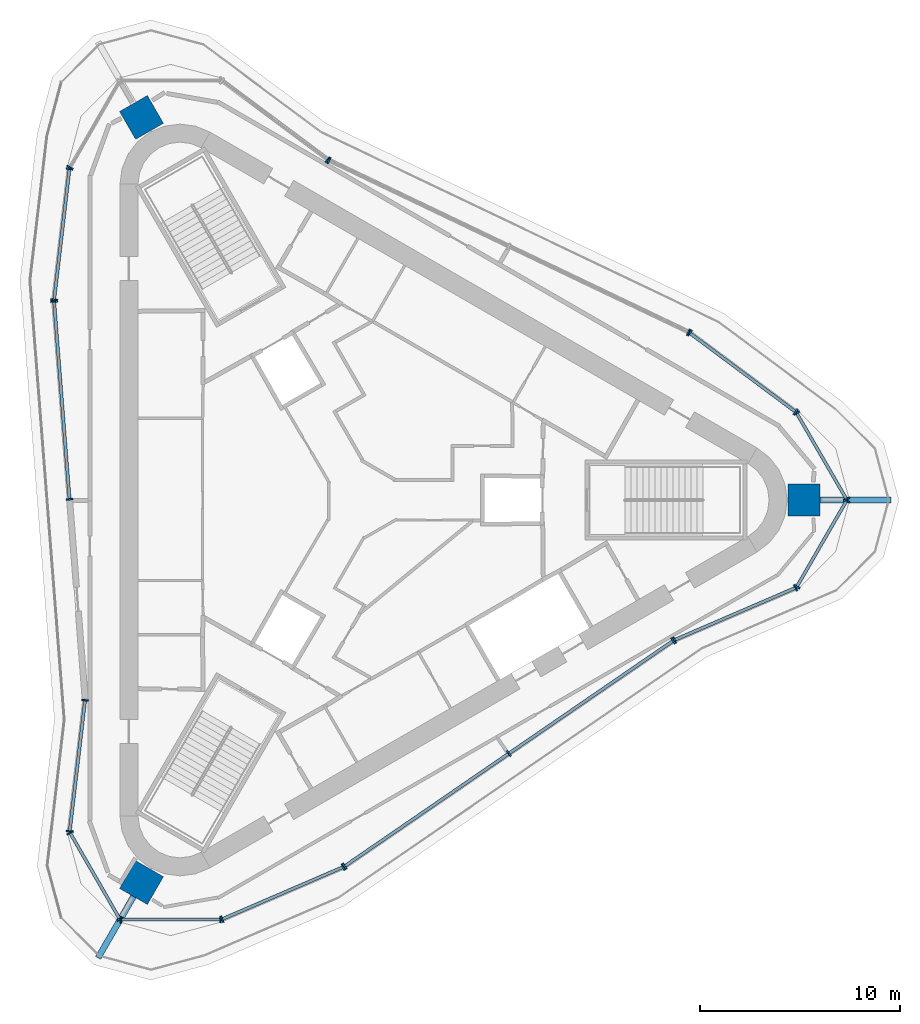
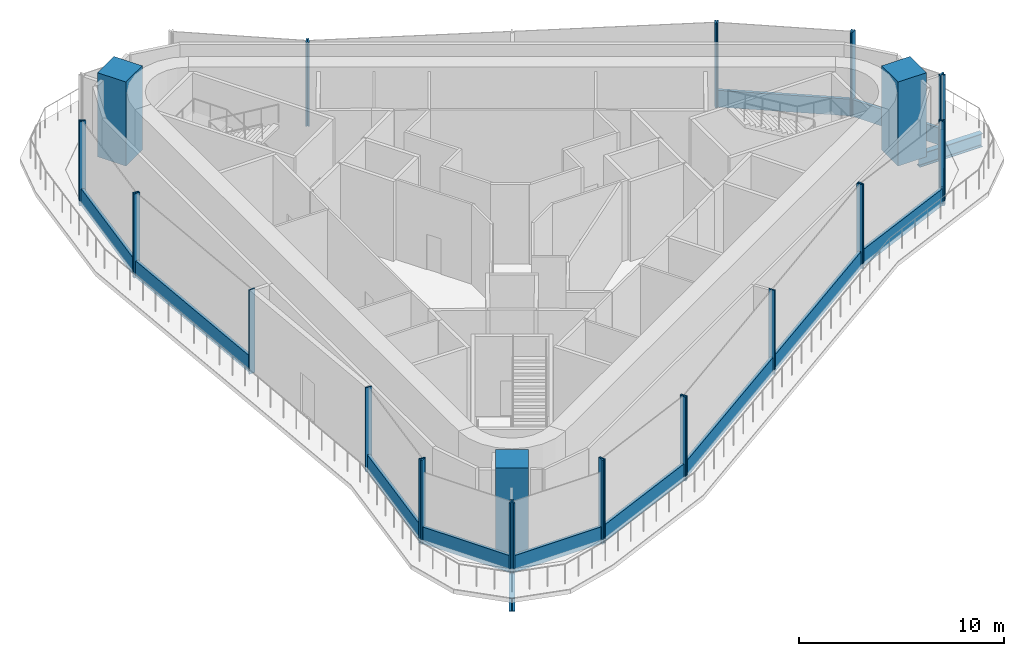
# One storey, part 1 of 9: 39 members, 3 columns, 2 beams, 14 elements without a shape of their own.
"""IFC4 building model written with IfcOpenShell, lengths in metres."""

from ifc_helpers import new_model, si_unit, direction, frame, origin, origin_2d, place, context, subcontext, project, spatial, rectangle, i_section, extrude, material, material_profile, profile_set, type_object, element, aggregate, save


model = new_model("IFC4")

# Units and contexts
model_context = context("Model", 3, precision=1e-05, world=origin(), true_north=direction((0.0, 1.0)))
body_context = subcontext(model_context, "Body", "Model", "MODEL_VIEW")
ifc_project = project(units=[si_unit("LENGTHUNIT", "METRE"), si_unit("AREAUNIT", "SQUARE_METRE"), si_unit("VOLUMEUNIT", "CUBIC_METRE"), si_unit("PLANEANGLEUNIT", "RADIAN"), si_unit("MASSUNIT", "GRAM", prefix="KILO")], contexts=[model_context])

# Site, building, storey
site_placement = place(None, origin())
site = spatial("IfcSite", under=ifc_project, at=site_placement, CompositionType="ELEMENT")
building_placement = place(site_placement, origin())
building = spatial("IfcBuilding", under=site, at=building_placement, Name="Tanit Gate Tower", CompositionType="ELEMENT")
storey_placement = place(building_placement, frame((0.0, 0.0, 430.300048828125)))
storey = spatial("IfcBuildingStorey", under=building, at=storey_placement, Name="L97", CompositionType="ELEMENT", Elevation=430.300048828125)

# Columns
ifc_material_1 = material(Name="Concrete C40/50", Category="concrete")
ifc_material_profile_1 = material_profile(ifc_material_1, rectangle(XDim=1.60009765625, YDim=1.60009765625, at=origin_2d()), Name="RC 1600x1600")
ifc_profile_set_1 = profile_set([ifc_material_profile_1], Name="Concrete C40/50")
column_type = type_object("IfcColumnType", Name="MEGA COLUMN 1600x1600 C40/50", PredefinedType="COLUMN", material=ifc_profile_set_1)
for number, where, z_axis, x_axis, name in (
    (1, (22.051025390625, 0.0, 0.0), (0.0, 0.0, 1.0), (1.0, 0.0, 0.0), "MEGA COLUMN"),
    (2, (-11.025390625, 19.0966796875, 0.0), (0.0, 0.0, 1.0), (-0.5, 0.866025403784, 0.0), "MEGA COLUMN"),
    (3, (-11.025390625, -19.0966796875, 0.0), (0.0, 0.0, 1.0), (-0.5, -0.866025403784, 0.0), "MEGA COLUMN"),
):
    element("IfcColumn", number, at=place(storey_placement, frame(where, z_axis=z_axis, x_axis=x_axis)), inside=storey, type_object=column_type, Name=name, PredefinedType="COLUMN", context=body_context, shape_type="SweptSolid", body=[
        extrude(rectangle(XDim=1.60009765625, YDim=1.60009765625, at=origin_2d()), origin(), (0.0, 0.0, 1.0), 5.0),
    ])

# Beams
ifc_material_2 = material(Name="Steel S355", Category="steel")
ifc_material_profile_2 = material_profile(ifc_material_2, i_section(OverallWidth=0.300048828125, OverallDepth=0.7900390625, WebThickness=0.014892578125, FlangeThickness=0.028076171875, FilletRadius=0.030029296875, at=origin_2d()), Name="HEA 800")
ifc_profile_set_2 = profile_set([ifc_material_profile_2], Name="Steel S355")
beam_type = type_object("IfcBeamType", Name="CROWN TERRACE GIRDER HEA 800 S355", PredefinedType="BEAM", material=ifc_profile_set_2)
beam_1_placement = place(storey_placement, frame((-11.424560546875, -19.787841796875, -0.64501953125), z_axis=(-0.499947514557, -0.866055704149, 0.0), x_axis=(0.866055704149, -0.499947514557, 0.0)))
element("IfcBeam", 4, at=beam_1_placement, inside=storey, type_object=beam_type, Name="CROWN TERRACE GIRDER", PredefinedType="BEAM", context=body_context, shape_type="SweptSolid", body=[
    extrude(i_section(OverallWidth=0.300048828125, OverallDepth=0.7900390625, WebThickness=0.014892578125, FlangeThickness=0.028076171875, FilletRadius=0.030029296875, at=origin_2d()), origin(), (0.0, 0.0, 1.0), 3.537109375),
])
beam_2_placement = place(storey_placement, frame((22.84912109375, 0.0, -0.64501953125), z_axis=(1.0, 0.0, 0.0), x_axis=(0.0, 1.0, 0.0)))
element("IfcBeam", 5, at=beam_2_placement, inside=storey, type_object=beam_type, Name="CROWN TERRACE GIRDER", PredefinedType="BEAM", context=body_context, shape_type="SweptSolid", body=[
    extrude(i_section(OverallWidth=0.300048828125, OverallDepth=0.7900390625, WebThickness=0.014892578125, FlangeThickness=0.028076171875, FilletRadius=0.030029296875, at=origin_2d()), origin(), (0.0, 0.0, 1.0), 3.536865234375),
])

# Curtain wall, members
ifc_material_3 = material(Name="Aluminium bronze anodised and glass", Category="aluminium")
curtain_wall_type = type_object("IfcCurtainWallType", Name="Curtain wall plant screen", PredefinedType="NOTDEFINED", material=ifc_material_3)
curtain_wall_1_placement = place(storey_placement, origin())
curtain_wall_1 = element("IfcCurtainWall", 6, at=curtain_wall_1_placement, inside=storey, type_object=curtain_wall_type, Name="Curtain wall L97 NE1", PredefinedType="NOTDEFINED")
ifc_material_4 = material(Name="Aluminium bronze anodised", Category="aluminium")
ifc_material_profile_3 = material_profile(ifc_material_4, rectangle(XDim=0.340087890625, YDim=0.080078125, at=origin_2d()), Name="80x340 bronze mullion")
ifc_profile_set_3 = profile_set([ifc_material_profile_3], Name="Aluminium bronze anodised")
member_type_1 = type_object("IfcMemberType", Name="Mullion 80x340 plant screen", PredefinedType="MULLION", material=ifc_profile_set_3)
member_1_placement = place(storey_placement, frame((21.621826171875, 4.39892578125, -0.25), z_axis=(0.0, 0.0, 1.0), x_axis=(-0.59734052401, -0.801987717098, 0.0)))
member_1 = element("IfcMember", 7, at=member_1_placement, type_object=member_type_1, Name="Mullion L97 NE1.1", PredefinedType="MULLION", context=body_context, shape_type="SweptSolid", body=[
    extrude(rectangle(XDim=0.340087890625, YDim=0.080078125, at=origin_2d()), origin(), (0.0, 0.0, 1.0), 5.0),
])
member_2_placement = place(storey_placement, frame((16.3447265625, 8.329345703125, -0.25), z_axis=(0.0, 0.0, 1.0), x_axis=(-0.59734052401, -0.801987717098, 0.0)))
member_2 = element("IfcMember", 8, at=member_2_placement, type_object=member_type_1, Name="Mullion L97 NE1.2", PredefinedType="MULLION", context=body_context, shape_type="SweptSolid", body=[
    extrude(rectangle(XDim=0.340087890625, YDim=0.080078125, at=origin_2d()), origin(), (0.0, 0.0, 1.0), 5.0),
])

curtain_wall_2_placement = place(storey_placement, origin())
curtain_wall_2 = element("IfcCurtainWall", 9, at=curtain_wall_2_placement, inside=storey, type_object=curtain_wall_type, Name="Curtain wall L97 NE2", PredefinedType="NOTDEFINED")
member_3_placement = place(storey_placement, frame((16.276611328125, 8.37060546875, -0.25), z_axis=(0.0, 0.0, 1.0), x_axis=(-0.431072811819, -0.902317145415, 0.0)))
member_3 = element("IfcMember", 10, at=member_3_placement, type_object=member_type_1, Name="Mullion L97 NE2.1", PredefinedType="MULLION", context=body_context, shape_type="SweptSolid", body=[
    extrude(rectangle(XDim=0.340087890625, YDim=0.080078125, at=origin_2d()), origin(), (0.0, 0.0, 1.0), 5.0),
])
member_4_placement = place(storey_placement, frame((-1.667236328125, 16.94287109375, -0.25), z_axis=(0.0, 0.0, 1.0), x_axis=(-0.431072811819, -0.902317145415, 0.0)))
member_4 = element("IfcMember", 11, at=member_4_placement, type_object=member_type_1, Name="Mullion L97 NE2.3", PredefinedType="MULLION", context=body_context, shape_type="SweptSolid", body=[
    extrude(rectangle(XDim=0.340087890625, YDim=0.080078125, at=origin_2d()), origin(), (0.0, 0.0, 1.0), 5.0),
])
aggregate(curtain_wall_2, [member_3, member_4])

# Curtain wall, member
curtain_wall_3_placement = place(storey_placement, origin())
curtain_wall_3 = element("IfcCurtainWall", 12, at=curtain_wall_3_placement, inside=storey, type_object=curtain_wall_type, Name="Curtain wall L97 NE3", PredefinedType="NOTDEFINED")
member_5_placement = place(storey_placement, frame((-1.7353515625, 16.984130859375, -0.25), z_axis=(0.0, 0.0, 1.0), x_axis=(-0.59734052401, -0.801987717098, 0.0)))
member_5 = element("IfcMember", 13, at=member_5_placement, type_object=member_type_1, Name="Mullion L97 NE3.1", PredefinedType="MULLION", context=body_context, shape_type="SweptSolid", body=[
    extrude(rectangle(XDim=0.340087890625, YDim=0.080078125, at=origin_2d()), origin(), (0.0, 0.0, 1.0), 5.0),
])
aggregate(curtain_wall_3, [member_5])

curtain_wall_4_placement = place(storey_placement, origin())
curtain_wall_4 = element("IfcCurtainWall", 14, at=curtain_wall_4_placement, inside=storey, type_object=curtain_wall_type, Name="Curtain wall L97 NW.arc2", PredefinedType="NOTDEFINED")
member_6_placement = place(storey_placement, frame((-14.595947265625, 16.60009765625, -0.25), z_axis=(0.0, 0.0, 1.0), x_axis=(0.866624446929, -0.498960988441, 0.0)))
member_6 = element("IfcMember", 15, at=member_6_placement, type_object=member_type_1, Name="Mullion L97 NW.arc2.2", PredefinedType="MULLION", context=body_context, shape_type="SweptSolid", body=[
    extrude(rectangle(XDim=0.340087890625, YDim=0.080078125, at=origin_2d()), origin(), (0.0, 0.0, 1.0), 5.0),
])
aggregate(curtain_wall_4, [member_6])

# Curtain wall, members
curtain_wall_5_placement = place(storey_placement, origin())
curtain_wall_5 = element("IfcCurtainWall", 16, at=curtain_wall_5_placement, inside=storey, type_object=curtain_wall_type, Name="Curtain wall L97 W1", PredefinedType="NOTDEFINED")
member_7_placement = place(storey_placement, frame((-14.620361328125, 16.525634765625, -0.25), z_axis=(0.0, 0.0, 1.0), x_axis=(0.993211998535, -0.116318209953, 0.0)))
member_7 = element("IfcMember", 17, at=member_7_placement, type_object=member_type_1, Name="Mullion L97 W1.1", PredefinedType="MULLION", context=body_context, shape_type="SweptSolid", body=[
    extrude(rectangle(XDim=0.340087890625, YDim=0.080078125, at=origin_2d()), origin(), (0.0, 0.0, 1.0), 5.0),
])
member_8_placement = place(storey_placement, frame((-15.3857421875, 9.990234375, -0.25), z_axis=(0.0, 0.0, 1.0), x_axis=(0.993211998535, -0.116318209953, 0.0)))
member_8 = element("IfcMember", 18, at=member_8_placement, type_object=member_type_1, Name="Mullion L97 W1.2", PredefinedType="MULLION", context=body_context, shape_type="SweptSolid", body=[
    extrude(rectangle(XDim=0.340087890625, YDim=0.080078125, at=origin_2d()), origin(), (0.0, 0.0, 1.0), 5.0),
])

curtain_wall_6_placement = place(storey_placement, origin())
curtain_wall_6 = element("IfcCurtainWall", 19, at=curtain_wall_6_placement, inside=storey, type_object=curtain_wall_type, Name="Curtain wall L97 W2a", PredefinedType="NOTDEFINED")
member_9_placement = place(storey_placement, frame((-15.387451171875, 9.91064453125, -0.25), z_axis=(0.0, 0.0, 1.0), x_axis=(0.996965976109, 0.077838566791, 0.0)))
member_9 = element("IfcMember", 20, at=member_9_placement, type_object=member_type_1, Name="Mullion L97 W2a.1", PredefinedType="MULLION", context=body_context, shape_type="SweptSolid", body=[
    extrude(rectangle(XDim=0.340087890625, YDim=0.080078125, at=origin_2d()), origin(), (0.0, 0.0, 1.0), 5.0),
])
member_10_placement = place(storey_placement, frame((-14.616455078125, 0.03759765625, -0.25), z_axis=(0.0, 0.0, 1.0), x_axis=(0.996965976109, 0.077838566791, 0.0)))
member_10 = element("IfcMember", 21, at=member_10_placement, type_object=member_type_1, Name="Mullion L97 W2a.2", PredefinedType="MULLION", context=body_context, shape_type="SweptSolid", body=[
    extrude(rectangle(XDim=0.340087890625, YDim=0.080078125, at=origin_2d()), origin(), (0.0, 0.0, 1.0), 5.0),
])

curtain_wall_7_placement = place(storey_placement, origin())
curtain_wall_7 = element("IfcCurtainWall", 22, at=curtain_wall_7_placement, inside=storey, type_object=curtain_wall_type, Name="Curtain wall L97 W3", PredefinedType="NOTDEFINED")
member_11_placement = place(storey_placement, frame((-13.841064453125, -9.994873046875, -0.25), z_axis=(0.0, 0.0, 1.0), x_axis=(0.993211998535, -0.116318209953, 0.0)))
member_11 = element("IfcMember", 23, at=member_11_placement, type_object=member_type_1, Name="Mullion L97 W3.1", PredefinedType="MULLION", context=body_context, shape_type="SweptSolid", body=[
    extrude(rectangle(XDim=0.340087890625, YDim=0.080078125, at=origin_2d()), origin(), (0.0, 0.0, 1.0), 5.0),
])
member_12_placement = place(storey_placement, frame((-14.607421875, -16.539306640625, -0.25), z_axis=(0.0, 0.0, 1.0), x_axis=(0.993211998535, -0.116318209953, 0.0)))
member_12 = element("IfcMember", 24, at=member_12_placement, type_object=member_type_1, Name="Mullion L97 W3.2", PredefinedType="MULLION", context=body_context, shape_type="SweptSolid", body=[
    extrude(rectangle(XDim=0.340087890625, YDim=0.080078125, at=origin_2d()), origin(), (0.0, 0.0, 1.0), 5.0),
])

curtain_wall_8_placement = place(storey_placement, origin())
curtain_wall_8 = element("IfcCurtainWall", 25, at=curtain_wall_8_placement, inside=storey, type_object=curtain_wall_type, Name="Curtain wall L97 SW.arc1", PredefinedType="NOTDEFINED")
member_13_placement = place(storey_placement, frame((-14.592041015625, -16.61376953125, -0.25), z_axis=(0.0, 0.0, 1.0), x_axis=(0.866260849341, 0.499591974413, 0.0)))
member_13 = element("IfcMember", 26, at=member_13_placement, type_object=member_type_1, Name="Mullion L97 SW.arc1.1", PredefinedType="MULLION", context=body_context, shape_type="SweptSolid", body=[
    extrude(rectangle(XDim=0.340087890625, YDim=0.080078125, at=origin_2d()), origin(), (0.0, 0.0, 1.0), 5.0),
])
member_14_placement = place(storey_placement, frame((-12.11328125, -20.911865234375, -0.25), z_axis=(0.0, 0.0, 1.0), x_axis=(0.866260849341, 0.499591974413, 0.0)))
member_14 = element("IfcMember", 27, at=member_14_placement, type_object=member_type_1, Name="Mullion L97 SW.arc1.2", PredefinedType="MULLION", context=body_context, shape_type="SweptSolid", body=[
    extrude(rectangle(XDim=0.340087890625, YDim=0.080078125, at=origin_2d()), origin(), (0.0, 0.0, 1.0), 4.2099609375),
])

curtain_wall_9_placement = place(storey_placement, origin())
curtain_wall_9 = element("IfcCurtainWall", 28, at=curtain_wall_9_placement, inside=storey, type_object=curtain_wall_type, Name="Curtain wall L97 SW.arc2", PredefinedType="NOTDEFINED")
member_15_placement = place(storey_placement, frame((-12.053466796875, -20.9462890625, -0.25), z_axis=(0.0, 0.0, 1.0), x_axis=(-0.001199331977, 0.999999280801, 0.0)))
member_15 = element("IfcMember", 29, at=member_15_placement, type_object=member_type_1, Name="Mullion L97 SW.arc2.1", PredefinedType="MULLION", context=body_context, shape_type="SweptSolid", body=[
    extrude(rectangle(XDim=0.340087890625, YDim=0.080078125, at=origin_2d()), origin(), (0.0, 0.0, 1.0), 4.2099609375),
])
member_16_placement = place(storey_placement, frame((-7.078125, -20.9404296875, -0.25), z_axis=(0.0, 0.0, 1.0), x_axis=(-0.001199331977, 0.999999280801, 0.0)))
member_16 = element("IfcMember", 30, at=member_16_placement, type_object=member_type_1, Name="Mullion L97 SW.arc2.2", PredefinedType="MULLION", context=body_context, shape_type="SweptSolid", body=[
    extrude(rectangle(XDim=0.340087890625, YDim=0.080078125, at=origin_2d()), origin(), (0.0, 0.0, 1.0), 5.0),
])

curtain_wall_10_placement = place(storey_placement, origin())
curtain_wall_10 = element("IfcCurtainWall", 31, at=curtain_wall_10_placement, inside=storey, type_object=curtain_wall_type, Name="Curtain wall L97 SE1", PredefinedType="NOTDEFINED")
member_17_placement = place(storey_placement, frame((-7.00146484375, -20.924560546875, -0.25), z_axis=(0.0, 0.0, 1.0), x_axis=(-0.395871474525, 0.918305927051, 0.0)))
member_17 = element("IfcMember", 32, at=member_17_placement, type_object=member_type_1, Name="Mullion L97 SE1.1", PredefinedType="MULLION", context=body_context, shape_type="SweptSolid", body=[
    extrude(rectangle(XDim=0.340087890625, YDim=0.080078125, at=origin_2d()), origin(), (0.0, 0.0, 1.0), 5.0),
])
member_18_placement = place(storey_placement, frame((-0.958740234375, -18.319580078125, -0.25), z_axis=(0.0, 0.0, 1.0), x_axis=(-0.395871474525, 0.918305927051, 0.0)))
member_18 = element("IfcMember", 33, at=member_18_placement, type_object=member_type_1, Name="Mullion L97 SE1.2", PredefinedType="MULLION", context=body_context, shape_type="SweptSolid", body=[
    extrude(rectangle(XDim=0.340087890625, YDim=0.080078125, at=origin_2d()), origin(), (0.0, 0.0, 1.0), 5.0),
])

curtain_wall_11_placement = place(storey_placement, origin())
curtain_wall_11 = element("IfcCurtainWall", 34, at=curtain_wall_11_placement, inside=storey, type_object=curtain_wall_type, Name="Curtain wall L97 SE2", PredefinedType="NOTDEFINED")
member_19_placement = place(storey_placement, frame((-0.88916015625, -18.28125, -0.25), z_axis=(0.0, 0.0, 1.0), x_axis=(-0.56589316429, 0.824478578624, 0.0)))
member_19 = element("IfcMember", 35, at=member_19_placement, type_object=member_type_1, Name="Mullion L97 SE2.1", PredefinedType="MULLION", context=body_context, shape_type="SweptSolid", body=[
    extrude(rectangle(XDim=0.340087890625, YDim=0.080078125, at=origin_2d()), origin(), (0.0, 0.0, 1.0), 5.0),
])
member_20_placement = place(storey_placement, frame((7.308837890625, -12.654541015625, -0.25), z_axis=(0.0, 0.0, 1.0), x_axis=(-0.56589316429, 0.824478578624, 0.0)))
member_20 = element("IfcMember", 36, at=member_20_placement, type_object=member_type_1, Name="Mullion L97 SE2.2", PredefinedType="MULLION", context=body_context, shape_type="SweptSolid", body=[
    extrude(rectangle(XDim=0.340087890625, YDim=0.080078125, at=origin_2d()), origin(), (0.0, 0.0, 1.0), 5.0),
])
member_21_placement = place(storey_placement, frame((15.506591796875, -7.02783203125, -0.25), z_axis=(0.0, 0.0, 1.0), x_axis=(-0.56589316429, 0.824478578624, 0.0)))
member_21 = element("IfcMember", 37, at=member_21_placement, type_object=member_type_1, Name="Mullion L97 SE2.3", PredefinedType="MULLION", context=body_context, shape_type="SweptSolid", body=[
    extrude(rectangle(XDim=0.340087890625, YDim=0.080078125, at=origin_2d()), origin(), (0.0, 0.0, 1.0), 5.0),
])

curtain_wall_12_placement = place(storey_placement, origin())
curtain_wall_12 = element("IfcCurtainWall", 38, at=curtain_wall_12_placement, inside=storey, type_object=curtain_wall_type, Name="Curtain wall L97 SE3", PredefinedType="NOTDEFINED")
member_22_placement = place(storey_placement, frame((15.576416015625, -6.9892578125, -0.25), z_axis=(0.0, 0.0, 1.0), x_axis=(-0.395871474525, 0.918305927051, 0.0)))
member_22 = element("IfcMember", 39, at=member_22_placement, type_object=member_type_1, Name="Mullion L97 SE3.1", PredefinedType="MULLION", context=body_context, shape_type="SweptSolid", body=[
    extrude(rectangle(XDim=0.340087890625, YDim=0.080078125, at=origin_2d()), origin(), (0.0, 0.0, 1.0), 5.0),
])
member_23_placement = place(storey_placement, frame((21.627197265625, -4.380615234375, -0.25), z_axis=(0.0, 0.0, 1.0), x_axis=(-0.395871474525, 0.918305927051, 0.0)))
member_23 = element("IfcMember", 40, at=member_23_placement, type_object=member_type_1, Name="Mullion L97 SE3.2", PredefinedType="MULLION", context=body_context, shape_type="SweptSolid", body=[
    extrude(rectangle(XDim=0.340087890625, YDim=0.080078125, at=origin_2d()), origin(), (0.0, 0.0, 1.0), 5.0),
])

curtain_wall_13_placement = place(storey_placement, origin())
curtain_wall_13 = element("IfcCurtainWall", 41, at=curtain_wall_13_placement, inside=storey, type_object=curtain_wall_type, Name="Curtain wall L97 E.arc1", PredefinedType="NOTDEFINED")
member_24_placement = place(storey_placement, frame((21.68408203125, -4.330322265625, -0.25), z_axis=(0.0, 0.0, 1.0), x_axis=(-0.865789766039, 0.500407914627, 0.0)))
member_24 = element("IfcMember", 42, at=member_24_placement, type_object=member_type_1, Name="Mullion L97 E.arc1.1", PredefinedType="MULLION", context=body_context, shape_type="SweptSolid", body=[
    extrude(rectangle(XDim=0.340087890625, YDim=0.080078125, at=origin_2d()), origin(), (0.0, 0.0, 1.0), 5.0),
])
member_25_placement = place(storey_placement, frame((24.166748046875, -0.03466796875, -0.25), z_axis=(0.0, 0.0, 1.0), x_axis=(-0.865789766039, 0.500407914627, 0.0)))
member_25 = element("IfcMember", 43, at=member_25_placement, type_object=member_type_1, Name="Mullion L97 E.arc1.2", PredefinedType="MULLION", context=body_context, shape_type="SweptSolid", body=[
    extrude(rectangle(XDim=0.340087890625, YDim=0.080078125, at=origin_2d()), origin(), (0.0, 0.0, 1.0), 4.2099609375),
])

curtain_wall_14_placement = place(storey_placement, origin())
curtain_wall_14 = element("IfcCurtainWall", 44, at=curtain_wall_14_placement, inside=storey, type_object=curtain_wall_type, Name="Curtain wall L97 E.arc2", PredefinedType="NOTDEFINED")
member_26_placement = place(storey_placement, frame((24.166748046875, 0.03466796875, -0.25), z_axis=(0.0, 0.0, 1.0), x_axis=(-0.865425114951, -0.50103829236, 0.0)))
member_26 = element("IfcMember", 45, at=member_26_placement, type_object=member_type_1, Name="Mullion L97 E.arc2.1", PredefinedType="MULLION", context=body_context, shape_type="SweptSolid", body=[
    extrude(rectangle(XDim=0.340087890625, YDim=0.080078125, at=origin_2d()), origin(), (0.0, 0.0, 1.0), 4.2099609375),
])
member_27_placement = place(storey_placement, frame((21.674072265625, 4.34033203125, -0.25), z_axis=(0.0, 0.0, 1.0), x_axis=(-0.865425114951, -0.50103829236, 0.0)))
member_27 = element("IfcMember", 46, at=member_27_placement, type_object=member_type_1, Name="Mullion L97 E.arc2.2", PredefinedType="MULLION", context=body_context, shape_type="SweptSolid", body=[
    extrude(rectangle(XDim=0.340087890625, YDim=0.080078125, at=origin_2d()), origin(), (0.0, 0.0, 1.0), 5.0),
])

# Member
ifc_material_5 = material(Name="Aluminium bronze anodised", Category="aluminium")
ifc_material_profile_4 = material_profile(ifc_material_5, rectangle(XDim=0.159912109375, YDim=1.0, at=origin_2d()), Name="160x1000 bronze transom")
ifc_profile_set_4 = profile_set([ifc_material_profile_4], Name="Aluminium bronze anodised")
member_type_2 = type_object("IfcMemberType", Name="Transom 160x1000 plant screen", PredefinedType="USERDEFINED", material=ifc_profile_set_4)
member_28_placement = place(storey_placement, frame((21.58984375, 4.4228515625, 0.25), z_axis=(-0.802010187048, 0.597310354733, 0.0), x_axis=(-0.597310354733, -0.802010187048, 0.0)))
member_28 = element("IfcMember", 47, at=member_28_placement, type_object=member_type_2, Name="Transom L97 NE1.1", ObjectType="TRANSOM", PredefinedType="USERDEFINED", context=body_context, shape_type="SweptSolid", body=[
    extrude(rectangle(XDim=0.159912109375, YDim=1.0, at=origin_2d()), origin(), (0.0, 0.0, 1.0), 6.5),
])

aggregate(curtain_wall_1, [member_1, member_2, member_28])

member_29_placement = place(storey_placement, frame((-14.625, 16.48583984375, 0.25), z_axis=(-0.1163247434, -0.99321123336, 0.0), x_axis=(0.99321123336, -0.1163247434, 0.0)))
member_29 = element("IfcMember", 48, at=member_29_placement, type_object=member_type_2, Name="Transom L97 W1.1", ObjectType="TRANSOM", PredefinedType="USERDEFINED", context=body_context, shape_type="SweptSolid", body=[
    extrude(rectangle(XDim=0.159912109375, YDim=1.0, at=origin_2d()), origin(), (0.0, 0.0, 1.0), 6.5),
])

aggregate(curtain_wall_5, [member_7, member_8, member_29])

member_30_placement = place(storey_placement, frame((-15.38427734375, 9.87060546875, 0.25), z_axis=(0.077842506761, -0.996965668487, 0.0), x_axis=(0.996965668487, 0.077842506761, 0.0)))
member_30 = element("IfcMember", 49, at=member_30_placement, type_object=member_type_2, Name="Transom L97 W2a.1", ObjectType="TRANSOM", PredefinedType="USERDEFINED", context=body_context, shape_type="SweptSolid", body=[
    extrude(rectangle(XDim=0.159912109375, YDim=1.0, at=origin_2d()), origin(), (0.0, 0.0, 1.0), 9.822998046875),
])

aggregate(curtain_wall_6, [member_9, member_10, member_30])

member_31_placement = place(storey_placement, frame((-13.845703125, -10.03466796875, 0.25), z_axis=(-0.116308073283, -0.99321318562, 0.0), x_axis=(0.99321318562, -0.116308073283, 0.0)))
member_31 = element("IfcMember", 50, at=member_31_placement, type_object=member_type_2, Name="Transom L97 W3.1", ObjectType="TRANSOM", PredefinedType="USERDEFINED", context=body_context, shape_type="SweptSolid", body=[
    extrude(rectangle(XDim=0.159912109375, YDim=1.0, at=origin_2d()), origin(), (0.0, 0.0, 1.0), 6.50927734375),
])

aggregate(curtain_wall_7, [member_11, member_12, member_31])

member_32_placement = place(storey_placement, frame((-14.572265625, -16.6484375, 0.25), z_axis=(0.499614211748, -0.866248024193, 0.0), x_axis=(0.866248024193, 0.499614211748, 0.0)))
member_32 = element("IfcMember", 51, at=member_32_placement, type_object=member_type_2, Name="Transom L97 SW.arc1.1", ObjectType="TRANSOM", PredefinedType="USERDEFINED", context=body_context, shape_type="SweptSolid", body=[
    extrude(rectangle(XDim=0.159912109375, YDim=1.0, at=origin_2d()), origin(), (0.0, 0.0, 1.0), 4.881591796875),
])

aggregate(curtain_wall_8, [member_13, member_14, member_32])

member_33_placement = place(storey_placement, frame((-12.013427734375, -20.9462890625, 0.25), z_axis=(0.999999283659, 0.001196946926, 0.0), x_axis=(-0.001196946926, 0.999999283659, 0.0)))
member_33 = element("IfcMember", 52, at=member_33_placement, type_object=member_type_2, Name="Transom L97 SW.arc2.1", ObjectType="TRANSOM", PredefinedType="USERDEFINED", context=body_context, shape_type="SweptSolid", body=[
    extrude(rectangle(XDim=0.159912109375, YDim=1.0, at=origin_2d()), origin(), (0.0, 0.0, 1.0), 4.895263671875),
])

aggregate(curtain_wall_9, [member_15, member_16, member_33])

member_34_placement = place(storey_placement, frame((-6.964599609375, -20.90869140625, 0.25), z_axis=(0.91830172222, 0.395881228361, 0.0), x_axis=(-0.395881228361, 0.91830172222, 0.0)))
member_34 = element("IfcMember", 53, at=member_34_placement, type_object=member_type_2, Name="Transom L97 SE1.1", ObjectType="TRANSOM", PredefinedType="USERDEFINED", context=body_context, shape_type="SweptSolid", body=[
    extrude(rectangle(XDim=0.159912109375, YDim=1.0, at=origin_2d()), origin(), (0.0, 0.0, 1.0), 6.5),
])

aggregate(curtain_wall_10, [member_17, member_18, member_34])

member_35_placement = place(storey_placement, frame((-0.856201171875, -18.258544921875, 0.25), z_axis=(0.824480065419, 0.565890998097, 0.0), x_axis=(-0.565890998097, 0.824480065419, 0.0)))
member_35 = element("IfcMember", 54, at=member_35_placement, type_object=member_type_2, Name="Transom L97 SE2.1", ObjectType="TRANSOM", PredefinedType="USERDEFINED", context=body_context, shape_type="SweptSolid", body=[
    extrude(rectangle(XDim=0.159912109375, YDim=1.0, at=origin_2d()), origin(), (0.0, 0.0, 1.0), 9.86328125),
])

member_36_placement = place(storey_placement, frame((7.341796875, -12.6318359375, 0.25), z_axis=(0.824472138627, 0.565902546935, 0.0), x_axis=(-0.565902546935, 0.824472138627, 0.0)))
member_36 = element("IfcMember", 55, at=member_36_placement, type_object=member_type_2, Name="Transom L97 SE2.2", ObjectType="TRANSOM", PredefinedType="USERDEFINED", context=body_context, shape_type="SweptSolid", body=[
    extrude(rectangle(XDim=0.159912109375, YDim=1.0, at=origin_2d()), origin(), (0.0, 0.0, 1.0), 9.863037109375),
])

aggregate(curtain_wall_11, [member_19, member_20, member_21, member_35, member_36])

member_37_placement = place(storey_placement, frame((15.613037109375, -6.973388671875, 0.25), z_axis=(0.918302929614, 0.395878427629, 0.0), x_axis=(-0.395878427629, 0.918302929614, 0.0)))
member_37 = element("IfcMember", 56, at=member_37_placement, type_object=member_type_2, Name="Transom L97 SE3.1", ObjectType="TRANSOM", PredefinedType="USERDEFINED", context=body_context, shape_type="SweptSolid", body=[
    extrude(rectangle(XDim=0.159912109375, YDim=1.0, at=origin_2d()), origin(), (0.0, 0.0, 1.0), 6.50927734375),
])

aggregate(curtain_wall_12, [member_22, member_23, member_37])

member_38_placement = place(storey_placement, frame((21.7041015625, -4.295654296875, 0.25), z_axis=(0.500393417043, 0.86579814517, 0.0), x_axis=(-0.86579814517, 0.500393417043, 0.0)))
member_38 = element("IfcMember", 57, at=member_38_placement, type_object=member_type_2, Name="Transom L97 E.arc1.1", ObjectType="TRANSOM", PredefinedType="USERDEFINED", context=body_context, shape_type="SweptSolid", body=[
    extrude(rectangle(XDim=0.159912109375, YDim=1.0, at=origin_2d()), origin(), (0.0, 0.0, 1.0), 4.88134765625),
])

aggregate(curtain_wall_13, [member_24, member_25, member_38])

member_39_placement = place(storey_placement, frame((24.146728515625, 0.0693359375, 0.25), z_axis=(-0.501040202559, 0.865424009038, 0.0), x_axis=(-0.865424009038, -0.501040202559, 0.0)))
member_39 = element("IfcMember", 58, at=member_39_placement, type_object=member_type_2, Name="Transom L97 E.arc2.1", ObjectType="TRANSOM", PredefinedType="USERDEFINED", context=body_context, shape_type="SweptSolid", body=[
    extrude(rectangle(XDim=0.159912109375, YDim=1.0, at=origin_2d()), origin(), (0.0, 0.0, 1.0), 4.89501953125),
])

aggregate(curtain_wall_14, [member_26, member_27, member_39])

save(model, "model.ifc")
